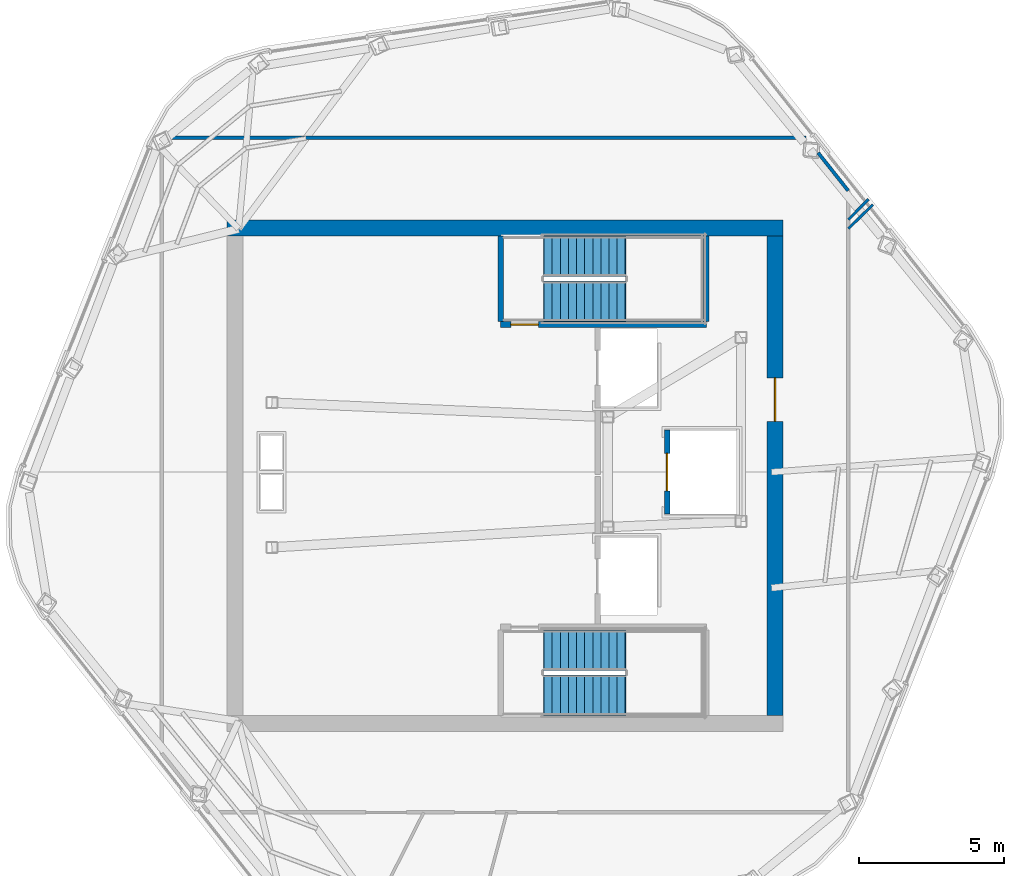
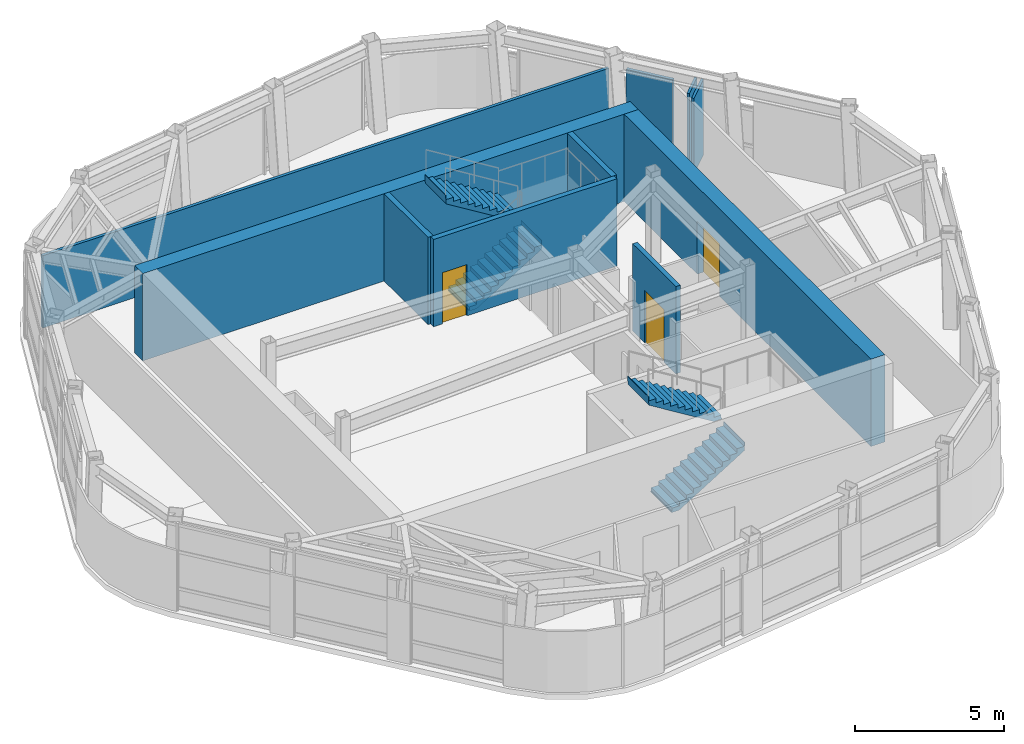
# One storey, part 6 of 9: 10 walls, 4 stair flights, 3 doors, 3 openings, 2 elements without a shape of their own.
"""IFC4 building model written with IfcOpenShell, lengths in metres."""

from ifc_helpers import new_model, si_unit, direction, frame, frame_2d, origin, place, context, subcontext, project, spatial, polyline, rectangle, outline, extrude, material, layer, layer_set, type_object, element, fill, aggregate, save


model = new_model("IFC4")

# Units and contexts
model_context = context("Model", 3, precision=1e-05, world=origin(), true_north=direction((0.0, 1.0)))
body_context = subcontext(model_context, "Body", "Model", "MODEL_VIEW")
ifc_project = project(units=[si_unit("LENGTHUNIT", "METRE"), si_unit("AREAUNIT", "SQUARE_METRE"), si_unit("VOLUMEUNIT", "CUBIC_METRE"), si_unit("PLANEANGLEUNIT", "RADIAN"), si_unit("MASSUNIT", "GRAM", prefix="KILO")], contexts=[model_context])

# Site, building, storey
site_placement = place(None, origin())
site = spatial("IfcSite", under=ifc_project, at=site_placement, CompositionType="ELEMENT")
building_placement = place(site_placement, origin())
building = spatial("IfcBuilding", under=site, at=building_placement, Name="Valkerne Bourse Tower", CompositionType="ELEMENT")
storey_placement = place(building_placement, frame((0.0, 0.0, 319.199951171875)))
storey = spatial("IfcBuildingStorey", under=building, at=storey_placement, Name="L81", CompositionType="ELEMENT", Elevation=319.199951171875)

# Wall
ifc_material_1 = material(Name="Concrete C55/67", Category="concrete")
ifc_layer_1 = layer(ifc_material_1, 0.550048828125)
ifc_layer_set_1 = layer_set([ifc_layer_1], Name="Concrete C55/67")
wall_type_1 = type_object("IfcWallType", Name="W-CORE-550", PredefinedType="SHEAR", material=ifc_layer_set_1)
wall_1_placement = place(storey_placement, frame((37.199951171875, 35.425048828125, 0.0), z_axis=(0.0, 0.0, 1.0), x_axis=(1.0, 0.0, 0.0)))
element("IfcWall", 1, at=wall_1_placement, inside=storey, type_object=wall_type_1, Name="L81 Core Shear Wall NORTH", PredefinedType="SHEAR", context=body_context, shape_type="SweptSolid", body=[
    extrude(rectangle(XDim=19.199951171875, YDim=0.550048828125, at=frame_2d((9.60009765625, 0.0))), origin(), (0.0, 0.0, 1.0), 3.580078125),
])

# Wall, opening, door
wall_2_placement = place(storey_placement, frame((56.125, 18.60009765625, 0.0), z_axis=(0.0, 0.0, 1.0), x_axis=(0.0, 1.0, 0.0)))
wall_2 = element("IfcWall", 2, at=wall_2_placement, inside=storey, type_object=wall_type_1, Name="L81 Core Shear Wall EAST", PredefinedType="SHEAR", context=body_context, shape_type="SweptSolid", body=[
    extrude(rectangle(XDim=16.5498046875, YDim=0.550048828125, at=frame_2d((8.27490234375, 0.0))), origin(), (0.0, 0.0, 1.0), 3.580078125),
])
opening_1_placement = place(wall_2_placement, frame((10.14990234375, 0.0, 0.0)))
opening_1 = element("IfcOpeningElement", 3, at=opening_1_placement, cuts=wall_2, Name="Opening D-CR-1500", PredefinedType="OPENING", context=body_context, shape_type="SweptSolid", body=[
    extrude(rectangle(XDim=1.5, YDim=2.14990234375, at=frame_2d((0.75, 1.074951171875))), frame((0.0, 0.284912109375, 0.0), z_axis=(0.0, -1.0, 0.0), x_axis=(1.0, 0.0, 0.0)), (0.0, 0.0, 1.0), 0.570068359375),
])
ifc_material_2 = material(Name="Galvanised Painted Steel", Category="steel")
door_type_1 = type_object("IfcDoorType", Name="DR-CORR-1500", OperationType="DOUBLE_DOOR_SINGLE_SWING", PredefinedType="DOOR", material=ifc_material_2)
door_1_placement = place(opening_1_placement, origin())
door_1 = element("IfcDoor", 4, at=door_1_placement, inside=storey, type_object=door_type_1, Name="L81 East Core Service Lobby Fire Door", OperationType="DOUBLE_DOOR_SINGLE_SWING", OverallHeight=2.14990234375, OverallWidth=1.5, PredefinedType="DOOR", context=body_context, shape_type="SweptSolid", body=[
    extrude(rectangle(XDim=1.5, YDim=2.14990234375, at=frame_2d((0.75, 1.074951171875))), frame((0.0, 0.02490234375, 0.0), z_axis=(0.0, -1.0, 0.0), x_axis=(1.0, 0.0, 0.0)), (0.0, 0.0, 1.0), 0.050048828125),
])
fill(opening_1, door_1)

# Walls
ifc_material_3 = material(Name="Gypsum Board Steel-Stud Partition", Category="steel")
ifc_layer_2 = layer(ifc_material_3, 0.117919921875)
ifc_layer_set_2 = layer_set([ifc_layer_2], Name="Gypsum Board Steel-Stud Partition")
wall_type_2 = type_object("IfcWallType", Name="W-CORR-140", PredefinedType="PARTITIONING", material=ifc_layer_set_2)
wall_3_placement = place(storey_placement, frame((35.266357421875, 38.550048828125, 0.0), z_axis=(0.0, 0.0, 1.0), x_axis=(1.0, 0.0, 0.0)))
element("IfcWall", 5, at=wall_3_placement, inside=storey, type_object=wall_type_2, Name="L81 Corridor Enclosure Wall", PredefinedType="PARTITIONING", context=body_context, shape_type="SweptSolid", body=[
    extrude(rectangle(XDim=21.9296875, YDim=0.117919921875, at=frame_2d((10.96484375, 0.0))), origin(), (0.0, 0.0, 1.0), 2.962890625),
])
wall_4_placement = place(storey_placement, frame((57.611572265625, 38.02587890625, 0.0), z_axis=(0.0, 0.0, 1.0), x_axis=(0.621144264721, -0.783696243709, 0.0)))
element("IfcWall", 6, at=wall_4_placement, inside=storey, type_object=wall_type_2, Name="L81 Corridor Enclosure Wall", PredefinedType="PARTITIONING", context=body_context, shape_type="SweptSolid", body=[
    extrude(rectangle(XDim=1.671630859375, YDim=0.117919921875, at=frame_2d((0.8359375, 0.0))), origin(), (0.0, 0.0, 1.0), 3.094970703125),
])

# Wall, opening, door
ifc_material_4 = material(Name="CMU Blockwork Masonry 200mm", Category="masonry")
ifc_layer_3 = layer(ifc_material_4, 0.179931640625)
ifc_layer_set_3 = layer_set([ifc_layer_3], Name="CMU Blockwork Masonry 200mm")
wall_type_3 = type_object("IfcWallType", Name="W-LFT-180", PredefinedType="SOLIDWALL", material=ifc_layer_set_3)
wall_5_placement = place(storey_placement, frame((52.39990234375, 25.550048828125, 0.0), z_axis=(0.0, 0.0, 1.0), x_axis=(0.0, 1.0, 0.0)))
wall_5 = element("IfcWall", 7, at=wall_5_placement, inside=storey, type_object=wall_type_3, Name="L81 Service Lift SV-1 Front Wall", PredefinedType="SOLIDWALL", context=body_context, shape_type="SweptSolid", body=[
    extrude(rectangle(XDim=2.89990234375, YDim=0.179931640625, at=frame_2d((1.449951171875, 0.0))), origin(), (0.0, 0.0, 1.0), 3.580078125),
])
opening_2_placement = place(wall_5_placement, frame((0.800048828125, 0.0, 0.0)))
opening_2 = element("IfcOpeningElement", 8, at=opening_2_placement, cuts=wall_5, Name="Opening LD-1300", PredefinedType="OPENING", context=body_context, shape_type="SweptSolid", body=[
    extrude(rectangle(XDim=1.300048828125, YDim=2.14990234375, at=frame_2d((0.64990234375, 1.074951171875))), frame((0.0, 0.099853515625, 0.0), z_axis=(0.0, -1.0, 0.0), x_axis=(1.0, 0.0, 0.0)), (0.0, 0.0, 1.0), 0.199951171875),
])
ifc_material_5 = material(Name="Stainless Steel AISI 316", Category="steel")
door_type_2 = type_object("IfcDoorType", Name="DR-LIFT-1300", OperationType="DOUBLE_DOOR_SLIDING", PredefinedType="DOOR", material=ifc_material_5)
door_2_placement = place(opening_2_placement, origin())
door_2 = element("IfcDoor", 9, at=door_2_placement, inside=storey, type_object=door_type_2, Name="L81 Service Lift SV-1 Landing Door", OperationType="DOUBLE_DOOR_SLIDING", OverallHeight=2.14990234375, OverallWidth=1.300048828125, PredefinedType="DOOR", context=body_context, shape_type="SweptSolid", body=[
    extrude(rectangle(XDim=1.300048828125, YDim=2.14990234375, at=frame_2d((0.64990234375, 1.074951171875))), frame((0.0, 0.02490234375, 0.0), z_axis=(0.0, -1.0, 0.0), x_axis=(1.0, 0.0, 0.0)), (0.0, 0.0, 1.0), 0.050048828125),
])
fill(opening_2, door_2)

# Walls
ifc_layer_4 = layer(ifc_material_3, 0.092041015625)
ifc_layer_set_4 = layer_set([ifc_layer_4], Name="Gypsum Board Steel-Stud Partition")
wall_type_4 = type_object("IfcWallType", Name="W-PART-115", PredefinedType="PARTITIONING", material=ifc_layer_set_4)
wall_6_placement = place(storey_placement, frame((58.655029296875, 35.40869140625, 0.0), z_axis=(0.0, 0.0, 1.0), x_axis=(0.717241097438, 0.696825091502, 0.0)))
element("IfcWall", 10, at=wall_6_placement, inside=storey, type_object=wall_type_4, Name="L81 Suite Partition P01", PredefinedType="PARTITIONING", context=body_context, shape_type="SweptSolid", body=[
    extrude(rectangle(XDim=1.183837890625, YDim=0.092041015625, at=frame_2d((0.591796875, 0.0))), origin(), (0.0, 0.0, 1.0), 3.094970703125),
])
wall_7_placement = place(storey_placement, frame((58.655029296875, 35.71826171875, 0.0), z_axis=(0.0, 0.0, 1.0), x_axis=(0.704519154853, 0.709684972678, 0.0)))
element("IfcWall", 11, at=wall_7_placement, inside=storey, type_object=wall_type_4, Name="L81 Suite Partition P04", PredefinedType="PARTITIONING", context=body_context, shape_type="SweptSolid", body=[
    extrude(rectangle(XDim=0.992431640625, YDim=0.092041015625, at=frame_2d((0.49609375, 0.0))), origin(), (0.0, 0.0, 1.0), 3.094970703125),
])

# Wall, opening, door
ifc_material_6 = material(Name="Concrete C40/50", Category="concrete")
ifc_layer_5 = layer(ifc_material_6, 0.199951171875)
ifc_layer_set_5 = layer_set([ifc_layer_5], Name="Concrete C40/50")
wall_type_5 = type_object("IfcWallType", Name="W-SHF-200", PredefinedType="SHEAR", material=ifc_layer_set_5)
wall_8_placement = place(storey_placement, frame((46.64990234375, 32.10009765625, 0.0), z_axis=(0.0, 0.0, 1.0), x_axis=(1.0, 0.0, 0.0)))
wall_8 = element("IfcWall", 12, at=wall_8_placement, inside=storey, type_object=wall_type_5, Name="L81 Exit Stair ST-2 Structural Shaft Wall South", PredefinedType="SHEAR", context=body_context, shape_type="SweptSolid", body=[
    extrude(rectangle(XDim=7.10009765625, YDim=0.199951171875, at=frame_2d((3.550048828125, 0.0))), origin(), (0.0, 0.0, 1.0), 3.580078125),
])
opening_3_placement = place(wall_8_placement, frame((0.35009765625, 0.0, 0.0)))
opening_3 = element("IfcOpeningElement", 13, at=opening_3_placement, cuts=wall_8, Name="Opening D-ST-950", PredefinedType="OPENING", context=body_context, shape_type="SweptSolid", body=[
    extrude(rectangle(XDim=0.949951171875, YDim=2.10009765625, at=frame_2d((0.47509765625, 1.050048828125))), frame((0.0, 0.10986328125, 0.0), z_axis=(0.0, -1.0, 0.0), x_axis=(1.0, 0.0, 0.0)), (0.0, 0.0, 1.0), 0.219970703125),
])
door_type_3 = type_object("IfcDoorType", Name="DR-STAIR-950", OperationType="NOTDEFINED", PredefinedType="DOOR", material=ifc_material_2)
door_3_placement = place(opening_3_placement, origin())
door_3 = element("IfcDoor", 14, at=door_3_placement, inside=storey, type_object=door_type_3, Name="L81 Exit Stair ST-2 Door", OperationType="SINGLE_SWING_LEFT", OverallHeight=2.10009765625, OverallWidth=0.949951171875, PredefinedType="DOOR", context=body_context, shape_type="SweptSolid", body=[
    extrude(rectangle(XDim=0.949951171875, YDim=2.10009765625, at=frame_2d((0.47509765625, 1.050048828125))), frame((0.0, 0.02490234375, 0.0), z_axis=(0.0, -1.0, 0.0), x_axis=(1.0, 0.0, 0.0)), (0.0, 0.0, 1.0), 0.050048828125),
])
fill(opening_3, door_3)

# Walls
for number, where, z_axis, x_axis, name in (
    (15, (46.64990234375, 32.199951171875, 0.0), (0.0, 0.0, 1.0), (0.0, 1.0, 0.0), "L81 Exit Stair ST-2 Structural Shaft Wall West"),
    (16, (53.75, 32.199951171875, 0.0), (0.0, 0.0, 1.0), (0.0, 1.0, 0.0), "L81 Exit Stair ST-2 Structural Shaft Wall East"),
):
    element("IfcWall", number, at=place(storey_placement, frame(where, z_axis=z_axis, x_axis=x_axis)), inside=storey, type_object=wall_type_5, Name=name, PredefinedType="SHEAR", context=body_context, shape_type="SweptSolid", body=[
        extrude(rectangle(XDim=2.949951171875, YDim=0.199951171875, at=frame_2d((1.47509765625, 0.0))), origin(), (0.0, 0.0, 1.0), 3.580078125),
    ])

# Stair, stair flights
stair_type = type_object("IfcStairType", Name="ST-CORE-1400", PredefinedType="HALF_TURN_STAIR", material=ifc_material_6)
stair_1_placement = place(storey_placement, origin())
stair_1 = element("IfcStair", 17, at=stair_1_placement, inside=storey, type_object=stair_type, Name="L81 ST-1", PredefinedType="HALF_TURN_STAIR")
stair_flight_type = type_object("IfcStairFlightType", Name="STF-CORE-1400", PredefinedType="STRAIGHT", material=ifc_material_6)
stair_flight_1_placement = place(storey_placement, frame((48.14990234375, 19.300048828125, 0.0), z_axis=(0.0, 0.0, 1.0), x_axis=(1.0, 0.0, 0.0)))
stair_flight_1 = element("IfcStairFlight", 18, at=stair_flight_1_placement, type_object=stair_flight_type, Name="ST-1 flight 1", NumberOfRisers=11, NumberOfTreads=10, PredefinedType="STRAIGHT", RiserHeight=0.172727273, TreadLength=0.28, context=body_context, shape_type="SweptSolid", body=[
    extrude(outline(polyline([(-0.02001953125, 0.0), (-0.02001953125, 0.044921875), (0.0, 0.044921875), (0.0, 0.172607421875), (0.280029296875, 0.172607421875), (0.280029296875, 0.345458984375), (0.56005859375, 0.345458984375), (0.56005859375, 0.51806640625), (0.840087890625, 0.51806640625), (0.840087890625, 0.69091796875), (1.1201171875, 0.69091796875), (1.1201171875, 0.863525390625), (1.39990234375, 0.863525390625), (1.39990234375, 1.036376953125), (1.679931640625, 1.036376953125), (1.679931640625, 1.208984375), (1.9599609375, 1.208984375), (1.9599609375, 1.3818359375), (2.239990234375, 1.3818359375), (2.239990234375, 1.554443359375), (2.52001953125, 1.554443359375), (2.52001953125, 1.727294921875), (2.800048828125, 1.727294921875), (2.800048828125, 1.89990234375), (2.820068359375, 1.89990234375), (2.820068359375, 1.780029296875), (2.800048828125, 1.551025390625), (0.285400390625, 0.0), (-0.02001953125, 0.0)])), frame((0.0, 0.699951171875, 0.0), z_axis=(0.0, -1.0, 0.0), x_axis=(1.0, 0.0, 0.0)), (0.0, 0.0, 1.0), 1.39990234375),
])
stair_flight_2_placement = place(storey_placement, frame((50.949951171875, 20.85009765625, 1.900146484375), z_axis=(0.0, 0.0, 1.0), x_axis=(-1.0, 0.0, 0.0)))
stair_flight_2 = element("IfcStairFlight", 19, at=stair_flight_2_placement, type_object=stair_flight_type, Name="ST-1 flight 2", NumberOfRisers=11, NumberOfTreads=10, PredefinedType="STRAIGHT", RiserHeight=0.172727273, TreadLength=0.28, context=body_context, shape_type="SweptSolid", body=[
    extrude(outline(polyline([(-0.02001953125, 0.0), (-0.02001953125, 0.044921875), (0.0, 0.044921875), (0.0, 0.172607421875), (0.280029296875, 0.172607421875), (0.280029296875, 0.345458984375), (0.56005859375, 0.345458984375), (0.56005859375, 0.51806640625), (0.840087890625, 0.51806640625), (0.840087890625, 0.69091796875), (1.1201171875, 0.69091796875), (1.1201171875, 0.863525390625), (1.39990234375, 0.863525390625), (1.39990234375, 1.036376953125), (1.679931640625, 1.036376953125), (1.679931640625, 1.208984375), (1.9599609375, 1.208984375), (1.9599609375, 1.3818359375), (2.239990234375, 1.3818359375), (2.239990234375, 1.554443359375), (2.52001953125, 1.554443359375), (2.52001953125, 1.727294921875), (2.800048828125, 1.727294921875), (2.800048828125, 1.89990234375), (2.820068359375, 1.89990234375), (2.820068359375, 1.780029296875), (2.800048828125, 1.551025390625), (0.285400390625, 0.0), (-0.02001953125, 0.0)])), frame((0.0, 0.699951171875, 0.0), z_axis=(0.0, -1.0, 0.0), x_axis=(1.0, 0.0, 0.0)), (0.0, 0.0, 1.0), 1.39990234375),
])
aggregate(stair_1, [stair_flight_1, stair_flight_2])

stair_2_placement = place(storey_placement, origin())
stair_2 = element("IfcStair", 20, at=stair_2_placement, inside=storey, type_object=stair_type, Name="L81 ST-2", PredefinedType="HALF_TURN_STAIR")
stair_flight_3_placement = place(storey_placement, frame((48.14990234375, 32.89990234375, 0.0), z_axis=(0.0, 0.0, 1.0), x_axis=(1.0, 0.0, 0.0)))
stair_flight_3 = element("IfcStairFlight", 21, at=stair_flight_3_placement, type_object=stair_flight_type, Name="ST-2 flight 1", NumberOfRisers=11, NumberOfTreads=10, PredefinedType="STRAIGHT", RiserHeight=0.172727273, TreadLength=0.28, context=body_context, shape_type="SweptSolid", body=[
    extrude(outline(polyline([(-0.02001953125, 0.0), (-0.02001953125, 0.044921875), (0.0, 0.044921875), (0.0, 0.172607421875), (0.280029296875, 0.172607421875), (0.280029296875, 0.345458984375), (0.56005859375, 0.345458984375), (0.56005859375, 0.51806640625), (0.840087890625, 0.51806640625), (0.840087890625, 0.69091796875), (1.1201171875, 0.69091796875), (1.1201171875, 0.863525390625), (1.39990234375, 0.863525390625), (1.39990234375, 1.036376953125), (1.679931640625, 1.036376953125), (1.679931640625, 1.208984375), (1.9599609375, 1.208984375), (1.9599609375, 1.3818359375), (2.239990234375, 1.3818359375), (2.239990234375, 1.554443359375), (2.52001953125, 1.554443359375), (2.52001953125, 1.727294921875), (2.800048828125, 1.727294921875), (2.800048828125, 1.89990234375), (2.820068359375, 1.89990234375), (2.820068359375, 1.780029296875), (2.800048828125, 1.551025390625), (0.285400390625, 0.0), (-0.02001953125, 0.0)])), frame((0.0, 0.699951171875, 0.0), z_axis=(0.0, -1.0, 0.0), x_axis=(1.0, 0.0, 0.0)), (0.0, 0.0, 1.0), 1.39990234375),
])
stair_flight_4_placement = place(storey_placement, frame((50.949951171875, 34.449951171875, 1.900146484375), z_axis=(0.0, 0.0, 1.0), x_axis=(-1.0, 0.0, 0.0)))
stair_flight_4 = element("IfcStairFlight", 22, at=stair_flight_4_placement, type_object=stair_flight_type, Name="ST-2 flight 2", NumberOfRisers=11, NumberOfTreads=10, PredefinedType="STRAIGHT", RiserHeight=0.172727273, TreadLength=0.28, context=body_context, shape_type="SweptSolid", body=[
    extrude(outline(polyline([(-0.02001953125, 0.0), (-0.02001953125, 0.044921875), (0.0, 0.044921875), (0.0, 0.172607421875), (0.280029296875, 0.172607421875), (0.280029296875, 0.345458984375), (0.56005859375, 0.345458984375), (0.56005859375, 0.51806640625), (0.840087890625, 0.51806640625), (0.840087890625, 0.69091796875), (1.1201171875, 0.69091796875), (1.1201171875, 0.863525390625), (1.39990234375, 0.863525390625), (1.39990234375, 1.036376953125), (1.679931640625, 1.036376953125), (1.679931640625, 1.208984375), (1.9599609375, 1.208984375), (1.9599609375, 1.3818359375), (2.239990234375, 1.3818359375), (2.239990234375, 1.554443359375), (2.52001953125, 1.554443359375), (2.52001953125, 1.727294921875), (2.800048828125, 1.727294921875), (2.800048828125, 1.89990234375), (2.820068359375, 1.89990234375), (2.820068359375, 1.780029296875), (2.800048828125, 1.551025390625), (0.285400390625, 0.0), (-0.02001953125, 0.0)])), frame((0.0, 0.699951171875, 0.0), z_axis=(0.0, -1.0, 0.0), x_axis=(1.0, 0.0, 0.0)), (0.0, 0.0, 1.0), 1.39990234375),
])
aggregate(stair_2, [stair_flight_3, stair_flight_4])

save(model, "model.ifc")
